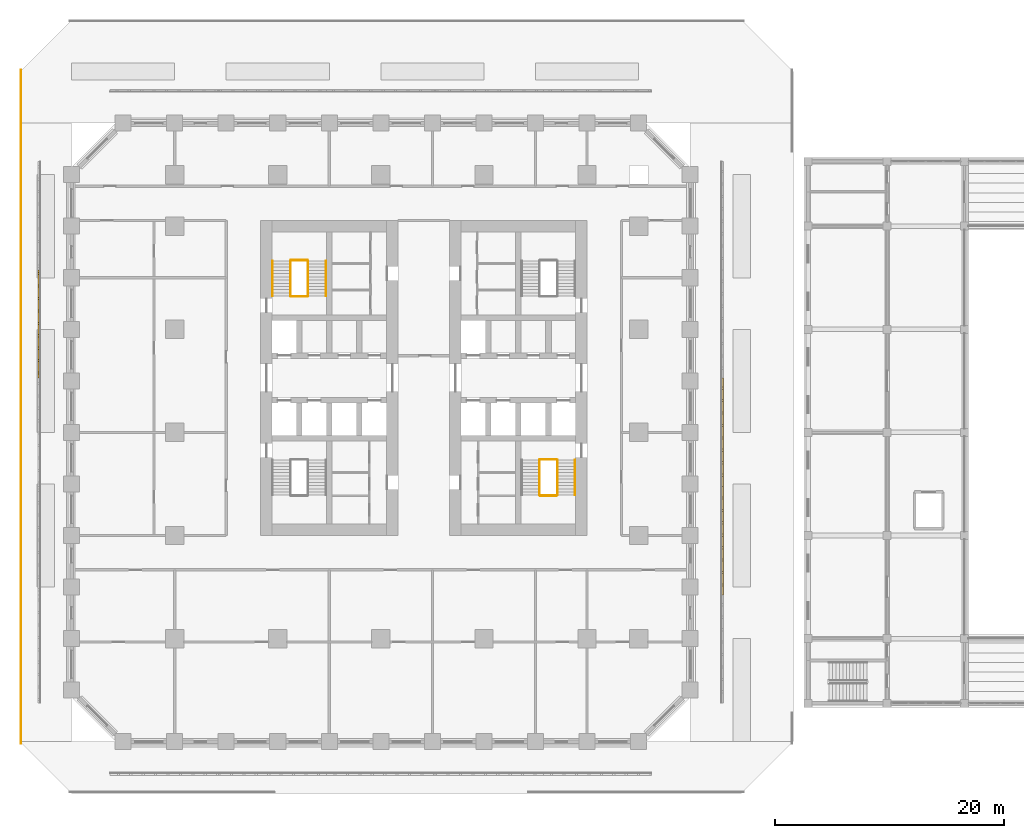
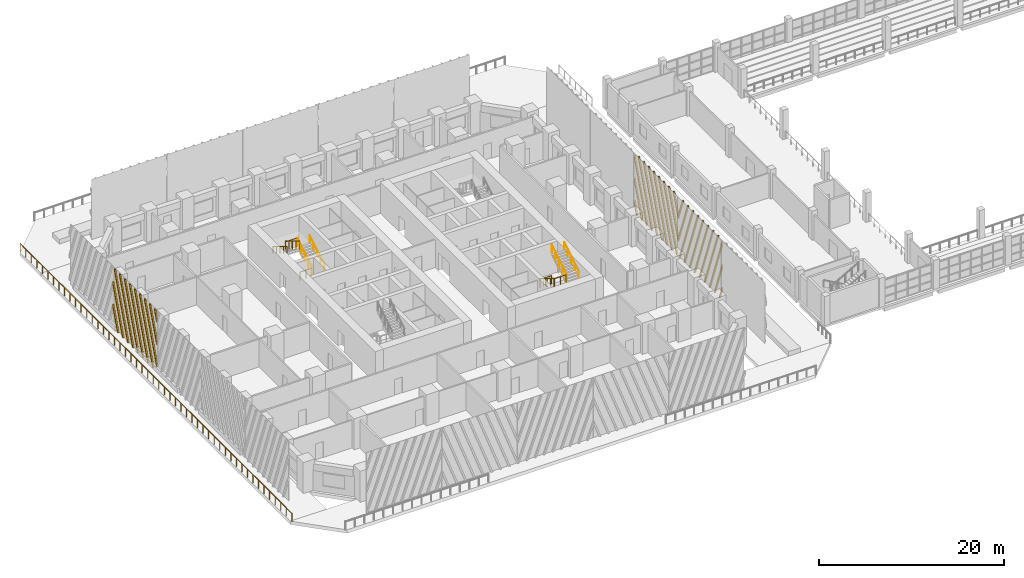
# One storey, part 27 of 36: 12 railings, 3 shading devices.
"""IFC4 building model written with IfcOpenShell, lengths in metres."""

import ifcopenshell
import ifcopenshell.guid

model = None  # the IFC model being written
_history = None  # IfcOwnerHistory: only IFC2X3 demands one
_inside = {}  # id of a spatial element -> (the spatial element, [elements in it])
_under = {}  # id of a project, library or spatial element -> (it, [spatial elements below it])
_declared = {}  # id of a project -> (the project, [libraries it declares])
_typed = {}  # id of a type object -> (the type object, [elements of that type])
_made_of = {}  # id of a material, layer set ... -> (it, [elements and type objects made of it])


def new_model(schema):
    """Start an empty IFC model of exactly this schema.

    Asked for "IFC4X3", IfcOpenShell would pick the latest addendum, in which some entities
    have other attributes; the version numbers below select the first issue.
    IFC2X3 requires an IfcOwnerHistory on every rooted entity: one is made here for all.
    """
    global model, _history
    if schema == "IFC4X3":
        model = ifcopenshell.file(schema_version=(4, 3, 0, 0))
    else:
        model = ifcopenshell.file(schema=schema)
    _inside.clear()
    _under.clear()
    _declared.clear()
    _typed.clear()
    _made_of.clear()
    _history = None
    if model.schema == "IFC2X3":
        org = make("IfcOrganization", Name="unknown")
        user = make(
            "IfcPersonAndOrganization",
            ThePerson=make("IfcPerson", FamilyName="unknown"),
            TheOrganization=org,
        )
        app = make(
            "IfcApplication",
            ApplicationDeveloper=org,
            Version="unknown",
            ApplicationFullName="unknown",
            ApplicationIdentifier="unknown",
        )
        _history = make(
            "IfcOwnerHistory",
            OwningUser=user,
            OwningApplication=app,
            ChangeAction="ADDED",
            CreationDate=0,
        )
    return model


def make(cls, **values):
    """One entity of the class cls with the attributes given. An attribute that is None is left unset."""
    return model.create_entity(
        cls, **{name: value for name, value in values.items() if value is not None}
    )


def rooted(cls, **values):
    """An entity with a GlobalId (a new one), such as an element, a storey or a relation."""
    return make(cls, GlobalId=ifcopenshell.guid.new(), OwnerHistory=_history, **values)


def si_unit(unit_type, name, prefix=None):
    """IfcSIUnit, for example si_unit("LENGTHUNIT", "METRE", prefix="MILLI")."""
    return make("IfcSIUnit", UnitType=unit_type, Prefix=prefix, Name=name)


def assignment(units):
    """IfcUnitAssignment: the units of a project."""
    return None if units is None else make("IfcUnitAssignment", Units=units)


def point(xyz):
    """IfcCartesianPoint."""
    return None if xyz is None else make("IfcCartesianPoint", Coordinates=xyz)


def direction(xyz):
    """IfcDirection."""
    return None if xyz is None else make("IfcDirection", DirectionRatios=xyz)


def frame(location, z_axis=None, x_axis=None):
    """IfcAxis2Placement3D, a coordinate frame: its origin and axes. An axis left out is left unset."""
    return make(
        "IfcAxis2Placement3D",
        Location=point(location),
        Axis=direction(z_axis),
        RefDirection=direction(x_axis),
    )


def frame_2d(location, x_axis=None):
    """IfcAxis2Placement2D, a coordinate frame in the plane: its origin and x axis."""
    return make(
        "IfcAxis2Placement2D", Location=point(location), RefDirection=direction(x_axis)
    )


def origin():
    """The frame at (0, 0, 0) with its axes left unset."""
    return frame((0.0, 0.0, 0.0))


def origin_2d():
    """The frame at (0, 0) in the plane with its x axis left unset."""
    return frame_2d((0.0, 0.0))


def place(relative_to, where):
    """IfcLocalPlacement: puts the frame where relative to a parent placement (None: the world)."""
    return make(
        "IfcLocalPlacement", PlacementRelTo=relative_to, RelativePlacement=where
    )


def context(
    kind, dimensions, precision=None, world=None, true_north=None, identifier=None
):
    """IfcGeometricRepresentationContext, for example the 3D "Model" context."""
    return make(
        "IfcGeometricRepresentationContext",
        ContextIdentifier=identifier,
        ContextType=kind,
        CoordinateSpaceDimension=dimensions,
        Precision=precision,
        WorldCoordinateSystem=world,
        TrueNorth=true_north,
    )


def subcontext(parent, identifier, kind, view, scale=None):
    """IfcGeometricRepresentationSubContext, for example "Body" below "Model"."""
    return make(
        "IfcGeometricRepresentationSubContext",
        ContextIdentifier=identifier,
        ContextType=kind,
        ParentContext=parent,
        TargetScale=scale,
        TargetView=view,
    )


def project(units=None, contexts=None):
    """IfcProject with its units and contexts."""
    return rooted(
        "IfcProject",
        Name="project",
        RepresentationContexts=contexts,
        UnitsInContext=assignment(units),
    )


def spatial(cls, under=None, at=None, **own):
    """A site, building, storey or space (cls), placed at a placement, below another one or the project."""
    s = rooted(cls, ObjectPlacement=at, **own)
    if under is not None:
        _under.setdefault(under.id(), (under, []))[1].append(s)
    return s


def polyline(points):
    """IfcPolyline through the points."""
    return make("IfcPolyline", Points=[point(p) for p in points])


def profile(cls, at=None, kind="AREA", **sizes):
    """A parametric profile (cls). Its sizes go by their IFC names, for example OverallWidth=200.0."""
    return make(cls, ProfileType=kind, Position=at, **sizes)


def circle(**sizes):
    """IfcCircleProfileDef."""
    return profile("IfcCircleProfileDef", **sizes)


def outline(outer, holes=None, kind="AREA"):
    """IfcArbitraryClosedProfileDef: a profile drawn as a closed curve; with holes, ...WithVoids."""
    if holes is None:
        return make("IfcArbitraryClosedProfileDef", ProfileType=kind, OuterCurve=outer)
    return make(
        "IfcArbitraryProfileDefWithVoids",
        ProfileType=kind,
        OuterCurve=outer,
        InnerCurves=holes,
    )


def extrude(swept, where, along, depth):
    """IfcExtrudedAreaSolid: the profile swept, set in the frame where, extruded along a direction by depth."""
    return make(
        "IfcExtrudedAreaSolid",
        SweptArea=swept,
        Position=where,
        ExtrudedDirection=direction(along),
        Depth=depth,
    )


def shape(context_of_items, identifier, shape_type, items):
    """IfcShapeRepresentation: the items that make up one representation, for example the "Body"."""
    return make(
        "IfcShapeRepresentation",
        ContextOfItems=context_of_items,
        RepresentationIdentifier=identifier,
        RepresentationType=shape_type,
        Items=items,
    )


def source(mapping_origin, context_of_items, identifier, shape_type, items):
    """IfcRepresentationMap: a shape defined once, which mapped items show again and again."""
    return make(
        "IfcRepresentationMap",
        MappingOrigin=mapping_origin,
        MappedRepresentation=shape(context_of_items, identifier, shape_type, items),
    )


def transform(
    local_origin,
    x_axis=None,
    y_axis=None,
    z_axis=None,
    scale=None,
    scale2=None,
    scale3=None,
    uniform=True,
):
    """IfcCartesianTransformationOperator3D, or its non-uniform kind. x_axis, y_axis, z_axis: its Axis1, 2, 3."""
    if uniform:
        return make(
            "IfcCartesianTransformationOperator3D",
            Axis1=direction(x_axis),
            Axis2=direction(y_axis),
            LocalOrigin=point(local_origin),
            Scale=scale,
            Axis3=direction(z_axis),
        )
    return make(
        "IfcCartesianTransformationOperator3DnonUniform",
        Axis1=direction(x_axis),
        Axis2=direction(y_axis),
        LocalOrigin=point(local_origin),
        Scale=scale,
        Axis3=direction(z_axis),
        Scale2=scale2,
        Scale3=scale3,
    )


def mapped(mapping_source, mapping_target):
    """IfcMappedItem: shows the shape of a source again, moved by a transform."""
    return make(
        "IfcMappedItem", MappingSource=mapping_source, MappingTarget=mapping_target
    )


def material(Name=None, Category=None):
    """IfcMaterial."""
    return make("IfcMaterial", Name=Name, Category=Category)


def made_of(thing, what):
    """Note that an element or type object is made of a material, layer set ...; save() writes the relation."""
    if what is not None:
        _made_of.setdefault(what.id(), (what, []))[1].append(thing)
    return thing


def type_object(cls, material=None, **own):
    """A type object (cls), such as IfcWallType, which elements share."""
    return made_of(rooted(cls, **own), material)


def element(
    cls,
    number,
    at=None,
    inside=None,
    cuts=None,
    type_object=None,
    material=None,
    context=None,
    identifier="Body",
    shape_type=None,
    held_by="IfcProductDefinitionShape",
    body=None,
    shapes=None,
    **own,
):
    """One element of the class cls, such as IfcWall. Its Tag is "e" and its number.

    at: its placement. inside: the storey or other place that contains it. cuts: it is an
    opening in that element (IfcRelVoidsElement). A single representation is given by context,
    identifier, shape_type and body (its items); several are given by shapes. held_by: the class
    of the entity that holds the representations. save() writes the other relations.
    """
    e = rooted(cls, Tag="e%d" % number, ObjectPlacement=at, **own)
    if body is not None:
        shapes = [shape(context, identifier, shape_type, body)]
    if shapes is not None:
        e.Representation = make(held_by, Representations=shapes)
    if inside is not None:
        _inside.setdefault(inside.id(), (inside, []))[1].append(e)
    if cuts is not None:
        rooted(
            "IfcRelVoidsElement", RelatingBuildingElement=cuts, RelatedOpeningElement=e
        )
    if type_object is not None:
        _typed.setdefault(type_object.id(), (type_object, []))[1].append(e)
    return made_of(e, material)


def aggregate(whole, parts):
    """IfcRelAggregates: a whole, such as a stair, and the parts it consists of."""
    return rooted("IfcRelAggregates", RelatingObject=whole, RelatedObjects=parts)


def save(model, path):
    """Write the relations noted so far, then the file.

    IfcRelAggregates (storeys below a building ...), IfcRelContainedInSpatialStructure (elements
    in a storey), IfcRelDefinesByType, IfcRelAssociatesMaterial and IfcRelDeclares: one each for
    every whole, place, type object, material and project.
    """
    for whole, parts in _under.values():
        aggregate(whole, parts)
    for where, things in _inside.values():
        rooted(
            "IfcRelContainedInSpatialStructure",
            RelatedElements=things,
            RelatingStructure=where,
        )
    for kind, things in _typed.values():
        rooted("IfcRelDefinesByType", RelatedObjects=things, RelatingType=kind)
    for what, things in _made_of.values():
        rooted("IfcRelAssociatesMaterial", RelatedObjects=things, RelatingMaterial=what)
    for by, libraries in _declared.values():
        rooted("IfcRelDeclares", RelatingContext=by, RelatedDefinitions=libraries)
    model.write(path)


model = new_model("IFC4")

# Units and contexts
model_context = context("Model", 3, precision=1e-05, world=origin(), true_north=direction((0.0, 1.0)))
body_context = subcontext(model_context, "Body", "Model", "MODEL_VIEW")
ifc_project = project(units=[si_unit("LENGTHUNIT", "METRE"), si_unit("AREAUNIT", "SQUARE_METRE"), si_unit("VOLUMEUNIT", "CUBIC_METRE"), si_unit("PLANEANGLEUNIT", "RADIAN"), si_unit("MASSUNIT", "GRAM", prefix="KILO")], contexts=[model_context])

# Site, building, storey
site_placement = place(None, origin())
site = spatial("IfcSite", under=ifc_project, at=site_placement, CompositionType="ELEMENT")
building_placement = place(site_placement, origin())
building = spatial("IfcBuilding", under=site, at=building_placement, Name="Corbel Stack Research Tower", CompositionType="ELEMENT")
storey_placement = place(building_placement, frame((0.0, 0.0, 7.199951171875)))
storey = spatial("IfcBuildingStorey", under=building, at=storey_placement, Name="L01", CompositionType="ELEMENT", Elevation=7.199951171875)

# Railings
ifc_material_1 = material(Name="Steel S235", Category="steel")
railing_type_1 = type_object("IfcRailingType", Name="SR1 guard 1100", PredefinedType="GUARDRAIL", material=ifc_material_1)
railing_1_placement = place(storey_placement, frame((-31.39990234375, -27.142333984375, 0.0)))
element("IfcRailing", 1, at=railing_1_placement, inside=storey, type_object=railing_type_1, Name="Garden deck guard 3", PredefinedType="GUARDRAIL", context=body_context, shape_type="SweptSolid", body=[
    extrude(circle(Radius=0.02392578125, at=origin_2d()), frame((0.0, 0.0, 1.076171875), z_axis=(0.0, 1.0, 0.0), x_axis=(-1.0, 0.0, 0.0)), (0.0, 0.0, 1.0), 58.78466796875),
    extrude(circle(Radius=0.02099609375, at=origin_2d()), origin(), (0.0, 0.0, 1.0), 1.052001953125),
    extrude(circle(Radius=0.02099609375, at=origin_2d()), frame((0.0, 1.19970703125, 0.0)), (0.0, 0.0, 1.0), 1.052001953125),
    extrude(circle(Radius=0.02099609375, at=origin_2d()), frame((0.0, 2.3994140625, 0.0)), (0.0, 0.0, 1.0), 1.052001953125),
    extrude(circle(Radius=0.02099609375, at=origin_2d()), frame((0.0, 3.59912109375, 0.0)), (0.0, 0.0, 1.0), 1.052001953125),
    extrude(circle(Radius=0.02099609375, at=origin_2d()), frame((0.0, 4.798828125, 0.0)), (0.0, 0.0, 1.0), 1.052001953125),
    extrude(circle(Radius=0.02099609375, at=origin_2d()), frame((0.0, 5.99853515625, 0.0)), (0.0, 0.0, 1.0), 1.052001953125),
    extrude(circle(Radius=0.02099609375, at=origin_2d()), frame((0.0, 7.1982421875, 0.0)), (0.0, 0.0, 1.0), 1.052001953125),
    extrude(circle(Radius=0.02099609375, at=origin_2d()), frame((0.0, 8.397705078125, 0.0)), (0.0, 0.0, 1.0), 1.052001953125),
    extrude(circle(Radius=0.02099609375, at=origin_2d()), frame((0.0, 9.597412109375, 0.0)), (0.0, 0.0, 1.0), 1.052001953125),
    extrude(circle(Radius=0.02099609375, at=origin_2d()), frame((0.0, 10.797119140625, 0.0)), (0.0, 0.0, 1.0), 1.052001953125),
    extrude(circle(Radius=0.02099609375, at=origin_2d()), frame((0.0, 11.996826171875, 0.0)), (0.0, 0.0, 1.0), 1.052001953125),
    extrude(circle(Radius=0.02099609375, at=origin_2d()), frame((0.0, 13.196533203125, 0.0)), (0.0, 0.0, 1.0), 1.052001953125),
    extrude(circle(Radius=0.02099609375, at=origin_2d()), frame((0.0, 14.396240234375, 0.0)), (0.0, 0.0, 1.0), 1.052001953125),
    extrude(circle(Radius=0.02099609375, at=origin_2d()), frame((0.0, 15.595947265625, 0.0)), (0.0, 0.0, 1.0), 1.052001953125),
    extrude(circle(Radius=0.02099609375, at=origin_2d()), frame((0.0, 16.795654296875, 0.0)), (0.0, 0.0, 1.0), 1.052001953125),
    extrude(circle(Radius=0.02099609375, at=origin_2d()), frame((0.0, 17.995361328125, 0.0)), (0.0, 0.0, 1.0), 1.052001953125),
    extrude(circle(Radius=0.02099609375, at=origin_2d()), frame((0.0, 19.195068359375, 0.0)), (0.0, 0.0, 1.0), 1.052001953125),
    extrude(circle(Radius=0.02099609375, at=origin_2d()), frame((0.0, 20.394775390625, 0.0)), (0.0, 0.0, 1.0), 1.052001953125),
    extrude(circle(Radius=0.02099609375, at=origin_2d()), frame((0.0, 21.594482421875, 0.0)), (0.0, 0.0, 1.0), 1.052001953125),
    extrude(circle(Radius=0.02099609375, at=origin_2d()), frame((0.0, 22.7939453125, 0.0)), (0.0, 0.0, 1.0), 1.052001953125),
    extrude(circle(Radius=0.02099609375, at=origin_2d()), frame((0.0, 23.99365234375, 0.0)), (0.0, 0.0, 1.0), 1.052001953125),
    extrude(circle(Radius=0.02099609375, at=origin_2d()), frame((0.0, 25.193359375, 0.0)), (0.0, 0.0, 1.0), 1.052001953125),
    extrude(circle(Radius=0.02099609375, at=origin_2d()), frame((0.0, 26.39306640625, 0.0)), (0.0, 0.0, 1.0), 1.052001953125),
    extrude(circle(Radius=0.02099609375, at=origin_2d()), frame((0.0, 27.5927734375, 0.0)), (0.0, 0.0, 1.0), 1.052001953125),
    extrude(circle(Radius=0.02099609375, at=origin_2d()), frame((0.0, 28.79248046875, 0.0)), (0.0, 0.0, 1.0), 1.052001953125),
    extrude(circle(Radius=0.02099609375, at=origin_2d()), frame((0.0, 29.9921875, 0.0)), (0.0, 0.0, 1.0), 1.052001953125),
    extrude(circle(Radius=0.02099609375, at=origin_2d()), frame((0.0, 31.19189453125, 0.0)), (0.0, 0.0, 1.0), 1.052001953125),
    extrude(circle(Radius=0.02099609375, at=origin_2d()), frame((0.0, 32.3916015625, 0.0)), (0.0, 0.0, 1.0), 1.052001953125),
    extrude(circle(Radius=0.02099609375, at=origin_2d()), frame((0.0, 33.59130859375, 0.0)), (0.0, 0.0, 1.0), 1.052001953125),
    extrude(circle(Radius=0.02099609375, at=origin_2d()), frame((0.0, 34.791015625, 0.0)), (0.0, 0.0, 1.0), 1.052001953125),
    extrude(circle(Radius=0.02099609375, at=origin_2d()), frame((0.0, 35.99072265625, 0.0)), (0.0, 0.0, 1.0), 1.052001953125),
    extrude(circle(Radius=0.02099609375, at=origin_2d()), frame((0.0, 37.190185546875, 0.0)), (0.0, 0.0, 1.0), 1.052001953125),
    extrude(circle(Radius=0.02099609375, at=origin_2d()), frame((0.0, 38.389892578125, 0.0)), (0.0, 0.0, 1.0), 1.052001953125),
    extrude(circle(Radius=0.02099609375, at=origin_2d()), frame((0.0, 39.589599609375, 0.0)), (0.0, 0.0, 1.0), 1.052001953125),
    extrude(circle(Radius=0.02099609375, at=origin_2d()), frame((0.0, 40.789306640625, 0.0)), (0.0, 0.0, 1.0), 1.052001953125),
    extrude(circle(Radius=0.02099609375, at=origin_2d()), frame((0.0, 41.989013671875, 0.0)), (0.0, 0.0, 1.0), 1.052001953125),
    extrude(circle(Radius=0.02099609375, at=origin_2d()), frame((0.0, 43.188720703125, 0.0)), (0.0, 0.0, 1.0), 1.052001953125),
    extrude(circle(Radius=0.02099609375, at=origin_2d()), frame((0.0, 44.388427734375, 0.0)), (0.0, 0.0, 1.0), 1.052001953125),
    extrude(circle(Radius=0.02099609375, at=origin_2d()), frame((0.0, 45.588134765625, 0.0)), (0.0, 0.0, 1.0), 1.052001953125),
    extrude(circle(Radius=0.02099609375, at=origin_2d()), frame((0.0, 46.787841796875, 0.0)), (0.0, 0.0, 1.0), 1.052001953125),
    extrude(circle(Radius=0.02099609375, at=origin_2d()), frame((0.0, 47.987548828125, 0.0)), (0.0, 0.0, 1.0), 1.052001953125),
    extrude(circle(Radius=0.02099609375, at=origin_2d()), frame((0.0, 49.187255859375, 0.0)), (0.0, 0.0, 1.0), 1.052001953125),
    extrude(circle(Radius=0.02099609375, at=origin_2d()), frame((0.0, 50.386962890625, 0.0)), (0.0, 0.0, 1.0), 1.052001953125),
    extrude(circle(Radius=0.02099609375, at=origin_2d()), frame((0.0, 51.58642578125, 0.0)), (0.0, 0.0, 1.0), 1.052001953125),
    extrude(circle(Radius=0.02099609375, at=origin_2d()), frame((0.0, 52.7861328125, 0.0)), (0.0, 0.0, 1.0), 1.052001953125),
    extrude(circle(Radius=0.02099609375, at=origin_2d()), frame((0.0, 53.98583984375, 0.0)), (0.0, 0.0, 1.0), 1.052001953125),
    extrude(circle(Radius=0.02099609375, at=origin_2d()), frame((0.0, 55.185546875, 0.0)), (0.0, 0.0, 1.0), 1.052001953125),
    extrude(circle(Radius=0.02099609375, at=origin_2d()), frame((0.0, 56.38525390625, 0.0)), (0.0, 0.0, 1.0), 1.052001953125),
    extrude(circle(Radius=0.02099609375, at=origin_2d()), frame((0.0, 57.5849609375, 0.0)), (0.0, 0.0, 1.0), 1.052001953125),
    extrude(circle(Radius=0.02099609375, at=origin_2d()), frame((0.0, 58.78466796875, 0.0)), (0.0, 0.0, 1.0), 1.052001953125),
])
ifc_material_2 = material(Name="Steel S355", Category="steel")
railing_type_2 = type_object("IfcRailingType", Name="Stair guard 1100", PredefinedType="GUARDRAIL", material=ifc_material_2)
railing_2_placement = place(storey_placement, frame((-6.35009765625, 11.89990234375, 0.1708984375)))
element("IfcRailing", 2, at=railing_2_placement, inside=storey, type_object=railing_type_2, Name="L01 ST-W2 stair guard 1", PredefinedType="GUARDRAIL", context=body_context, shape_type="SweptSolid", body=[
    extrude(circle(Radius=0.02392578125, at=origin_2d()), frame((0.0, 0.0, 1.076171875), z_axis=(0.0, 0.853666305674, 0.52082035152), x_axis=(-1.0, 0.0, 0.0)), (0.0, 0.0, 1.0), 3.608154296875),
    extrude(circle(Radius=0.02099609375, at=origin_2d()), origin(), (0.0, 0.0, 1.0), 1.052001953125),
    extrude(circle(Radius=0.02099609375, at=origin_2d()), frame((0.0, 0.77001953125, 0.4697265625)), (0.0, 0.0, 1.0), 1.052001953125),
    extrude(circle(Radius=0.02099609375, at=origin_2d()), frame((0.0, 1.5400390625, 0.939453125)), (0.0, 0.0, 1.0), 1.052001953125),
    extrude(circle(Radius=0.02099609375, at=origin_2d()), frame((0.0, 2.31005859375, 1.409423828125)), (0.0, 0.0, 1.0), 1.052001953125),
    extrude(circle(Radius=0.02099609375, at=origin_2d()), frame((0.0, 3.080078125, 1.879150390625)), (0.0, 0.0, 1.0), 1.052001953125),
])
railing_3_placement = place(storey_placement, frame((-6.39990234375, 15.030029296875, 2.050048828125)))
element("IfcRailing", 3, at=railing_3_placement, inside=storey, type_object=railing_type_2, Name="L01 ST-W2 stair guard 2", PredefinedType="GUARDRAIL", context=body_context, shape_type="SweptSolid", body=[
    extrude(circle(Radius=0.02392578125, at=origin_2d()), frame((0.0, 0.0, 1.076171875), z_axis=(-1.0, 0.0, 0.0), x_axis=(0.0, -1.0, 0.0)), (0.0, 0.0, 1.0), 1.4501953125),
    extrude(circle(Radius=0.02099609375, at=origin_2d()), origin(), (0.0, 0.0, 1.0), 1.052001953125),
    extrude(circle(Radius=0.02099609375, at=origin_2d()), frame((-0.72509765625, 0.0, 0.0)), (0.0, 0.0, 1.0), 1.052001953125),
    extrude(circle(Radius=0.02099609375, at=origin_2d()), frame((-1.4501953125, 0.0, 0.0)), (0.0, 0.0, 1.0), 1.052001953125),
])
railing_4_placement = place(storey_placement, frame((-7.89990234375, 14.97998046875, 2.220947265625)))
element("IfcRailing", 4, at=railing_4_placement, inside=storey, type_object=railing_type_2, Name="L01 ST-W2 stair guard 3", PredefinedType="GUARDRAIL", context=body_context, shape_type="SweptSolid", body=[
    extrude(circle(Radius=0.02392578125, at=origin_2d()), frame((0.0, 0.0, 1.076171875), z_axis=(0.0, -0.853666305674, 0.52082035152), x_axis=(1.0, 0.0, 0.0)), (0.0, 0.0, 1.0), 3.608154296875),
    extrude(circle(Radius=0.02099609375, at=origin_2d()), origin(), (0.0, 0.0, 1.0), 1.052001953125),
    extrude(circle(Radius=0.02099609375, at=origin_2d()), frame((0.0, -0.77001953125, 0.4697265625)), (0.0, 0.0, 1.0), 1.052001953125),
    extrude(circle(Radius=0.02099609375, at=origin_2d()), frame((0.0, -1.5400390625, 0.939453125)), (0.0, 0.0, 1.0), 1.052001953125),
    extrude(circle(Radius=0.02099609375, at=origin_2d()), frame((0.0, -2.31005859375, 1.409423828125)), (0.0, 0.0, 1.0), 1.052001953125),
    extrude(circle(Radius=0.02099609375, at=origin_2d()), frame((0.0, -3.080078125, 1.879150390625)), (0.0, 0.0, 1.0), 1.052001953125),
])
railing_5_placement = place(storey_placement, frame((-6.39990234375, 11.85009765625, 0.0)))
element("IfcRailing", 5, at=railing_5_placement, inside=storey, type_object=railing_type_2, Name="L01 ST-W2 stair guard 4", PredefinedType="GUARDRAIL", context=body_context, shape_type="SweptSolid", body=[
    extrude(circle(Radius=0.02392578125, at=origin_2d()), frame((0.0, 0.0, 1.076171875), z_axis=(-1.0, 0.0, 0.0), x_axis=(0.0, -1.0, 0.0)), (0.0, 0.0, 1.0), 1.4501953125),
    extrude(circle(Radius=0.02099609375, at=origin_2d()), origin(), (0.0, 0.0, 1.0), 1.052001953125),
    extrude(circle(Radius=0.02099609375, at=origin_2d()), frame((-0.72509765625, 0.0, 0.0)), (0.0, 0.0, 1.0), 1.052001953125),
    extrude(circle(Radius=0.02099609375, at=origin_2d()), frame((-1.4501953125, 0.0, 0.0)), (0.0, 0.0, 1.0), 1.052001953125),
])
railing_6_placement = place(storey_placement, frame((13.85009765625, -2.39990234375, 0.1708984375)))
element("IfcRailing", 6, at=railing_6_placement, inside=storey, type_object=railing_type_2, Name="L01 ST-E1 stair guard 1", PredefinedType="GUARDRAIL", context=body_context, shape_type="SweptSolid", body=[
    extrude(circle(Radius=0.02392578125, at=origin_2d()), frame((0.0, 0.0, 1.076171875), z_axis=(0.0, -0.853666305674, 0.52082035152), x_axis=(1.0, 0.0, 0.0)), (0.0, 0.0, 1.0), 3.608154296875),
    extrude(circle(Radius=0.02099609375, at=origin_2d()), origin(), (0.0, 0.0, 1.0), 1.052001953125),
    extrude(circle(Radius=0.02099609375, at=origin_2d()), frame((0.0, -0.77001953125, 0.4697265625)), (0.0, 0.0, 1.0), 1.052001953125),
    extrude(circle(Radius=0.02099609375, at=origin_2d()), frame((0.0, -1.5400390625, 0.939453125)), (0.0, 0.0, 1.0), 1.052001953125),
    extrude(circle(Radius=0.02099609375, at=origin_2d()), frame((0.0, -2.31005859375, 1.409423828125)), (0.0, 0.0, 1.0), 1.052001953125),
    extrude(circle(Radius=0.02099609375, at=origin_2d()), frame((0.0, -3.080078125, 1.879150390625)), (0.0, 0.0, 1.0), 1.052001953125),
])
railing_7_placement = place(storey_placement, frame((13.89990234375, -5.530029296875, 2.050048828125)))
element("IfcRailing", 7, at=railing_7_placement, inside=storey, type_object=railing_type_2, Name="L01 ST-E1 stair guard 2", PredefinedType="GUARDRAIL", context=body_context, shape_type="SweptSolid", body=[
    extrude(circle(Radius=0.02392578125, at=origin_2d()), frame((0.0, 0.0, 1.076171875), z_axis=(1.0, 0.0, 0.0), x_axis=(0.0, 1.0, 0.0)), (0.0, 0.0, 1.0), 1.4501953125),
    extrude(circle(Radius=0.02099609375, at=origin_2d()), origin(), (0.0, 0.0, 1.0), 1.052001953125),
    extrude(circle(Radius=0.02099609375, at=origin_2d()), frame((0.72509765625, 0.0, 0.0)), (0.0, 0.0, 1.0), 1.052001953125),
    extrude(circle(Radius=0.02099609375, at=origin_2d()), frame((1.4501953125, 0.0, 0.0)), (0.0, 0.0, 1.0), 1.052001953125),
])
railing_8_placement = place(storey_placement, frame((15.39990234375, -5.47998046875, 2.220947265625)))
element("IfcRailing", 8, at=railing_8_placement, inside=storey, type_object=railing_type_2, Name="L01 ST-E1 stair guard 3", PredefinedType="GUARDRAIL", context=body_context, shape_type="SweptSolid", body=[
    extrude(circle(Radius=0.02392578125, at=origin_2d()), frame((0.0, 0.0, 1.076171875), z_axis=(0.0, 0.853666305674, 0.52082035152), x_axis=(-1.0, 0.0, 0.0)), (0.0, 0.0, 1.0), 3.608154296875),
    extrude(circle(Radius=0.02099609375, at=origin_2d()), origin(), (0.0, 0.0, 1.0), 1.052001953125),
    extrude(circle(Radius=0.02099609375, at=origin_2d()), frame((0.0, 0.77001953125, 0.4697265625)), (0.0, 0.0, 1.0), 1.052001953125),
    extrude(circle(Radius=0.02099609375, at=origin_2d()), frame((0.0, 1.5400390625, 0.939453125)), (0.0, 0.0, 1.0), 1.052001953125),
    extrude(circle(Radius=0.02099609375, at=origin_2d()), frame((0.0, 2.31005859375, 1.409423828125)), (0.0, 0.0, 1.0), 1.052001953125),
    extrude(circle(Radius=0.02099609375, at=origin_2d()), frame((0.0, 3.080078125, 1.879150390625)), (0.0, 0.0, 1.0), 1.052001953125),
])
railing_9_placement = place(storey_placement, frame((13.89990234375, -2.35009765625, 0.0)))
element("IfcRailing", 9, at=railing_9_placement, inside=storey, type_object=railing_type_2, Name="L01 ST-E1 stair guard 4", PredefinedType="GUARDRAIL", context=body_context, shape_type="SweptSolid", body=[
    extrude(circle(Radius=0.02392578125, at=origin_2d()), frame((0.0, 0.0, 1.076171875), z_axis=(1.0, 0.0, 0.0), x_axis=(0.0, 1.0, 0.0)), (0.0, 0.0, 1.0), 1.4501953125),
    extrude(circle(Radius=0.02099609375, at=origin_2d()), origin(), (0.0, 0.0, 1.0), 1.052001953125),
    extrude(circle(Radius=0.02099609375, at=origin_2d()), frame((0.72509765625, 0.0, 0.0)), (0.0, 0.0, 1.0), 1.052001953125),
    extrude(circle(Radius=0.02099609375, at=origin_2d()), frame((1.4501953125, 0.0, 0.0)), (0.0, 0.0, 1.0), 1.052001953125),
])
ifc_material_3 = material(Name="Steel S355", Category="steel")
railing_type_3 = type_object("IfcRailingType", Name="Stair handrail 900", PredefinedType="HANDRAIL", material=ifc_material_3)
railing_10_placement = place(storey_placement, frame((-4.800048828125, 11.89990234375, 0.1708984375)))
element("IfcRailing", 10, at=railing_10_placement, inside=storey, type_object=railing_type_3, Name="L01 ST-W2 stair handrail 1", PredefinedType="HANDRAIL", context=body_context, shape_type="SweptSolid", body=[
    extrude(circle(Radius=0.02392578125, at=origin_2d()), frame((0.0, 0.0, 0.8759765625), z_axis=(0.0, 0.853666305674, 0.52082035152), x_axis=(-1.0, 0.0, 0.0)), (0.0, 0.0, 1.0), 3.608154296875),
    extrude(circle(Radius=0.02099609375, at=origin_2d()), origin(), (0.0, 0.0, 1.0), 0.851806640625),
    extrude(circle(Radius=0.02099609375, at=origin_2d()), frame((0.0, 0.77001953125, 0.4697265625)), (0.0, 0.0, 1.0), 0.851806640625),
    extrude(circle(Radius=0.02099609375, at=origin_2d()), frame((0.0, 1.5400390625, 0.939453125)), (0.0, 0.0, 1.0), 0.851806640625),
    extrude(circle(Radius=0.02099609375, at=origin_2d()), frame((0.0, 2.31005859375, 1.409423828125)), (0.0, 0.0, 1.0), 0.851806640625),
    extrude(circle(Radius=0.02099609375, at=origin_2d()), frame((0.0, 3.080078125, 1.879150390625)), (0.0, 0.0, 1.0), 0.851806640625),
])
railing_11_placement = place(storey_placement, frame((-9.449951171875, 14.97998046875, 2.220947265625)))
element("IfcRailing", 11, at=railing_11_placement, inside=storey, type_object=railing_type_3, Name="L01 ST-W2 stair handrail 2", PredefinedType="HANDRAIL", context=body_context, shape_type="SweptSolid", body=[
    extrude(circle(Radius=0.02392578125, at=origin_2d()), frame((0.0, 0.0, 0.8759765625), z_axis=(0.0, -0.853666305674, 0.52082035152), x_axis=(1.0, 0.0, 0.0)), (0.0, 0.0, 1.0), 3.608154296875),
    extrude(circle(Radius=0.02099609375, at=origin_2d()), origin(), (0.0, 0.0, 1.0), 0.851806640625),
    extrude(circle(Radius=0.02099609375, at=origin_2d()), frame((0.0, -0.77001953125, 0.4697265625)), (0.0, 0.0, 1.0), 0.851806640625),
    extrude(circle(Radius=0.02099609375, at=origin_2d()), frame((0.0, -1.5400390625, 0.939453125)), (0.0, 0.0, 1.0), 0.851806640625),
    extrude(circle(Radius=0.02099609375, at=origin_2d()), frame((0.0, -2.31005859375, 1.409423828125)), (0.0, 0.0, 1.0), 0.851806640625),
    extrude(circle(Radius=0.02099609375, at=origin_2d()), frame((0.0, -3.080078125, 1.879150390625)), (0.0, 0.0, 1.0), 0.851806640625),
])
railing_12_placement = place(storey_placement, frame((16.949951171875, -5.47998046875, 2.220947265625)))
element("IfcRailing", 12, at=railing_12_placement, inside=storey, type_object=railing_type_3, Name="L01 ST-E1 stair handrail 2", PredefinedType="HANDRAIL", context=body_context, shape_type="SweptSolid", body=[
    extrude(circle(Radius=0.02392578125, at=origin_2d()), frame((0.0, 0.0, 0.8759765625), z_axis=(0.0, 0.853666305674, 0.52082035152), x_axis=(-1.0, 0.0, 0.0)), (0.0, 0.0, 1.0), 3.608154296875),
    extrude(circle(Radius=0.02099609375, at=origin_2d()), origin(), (0.0, 0.0, 1.0), 0.851806640625),
    extrude(circle(Radius=0.02099609375, at=origin_2d()), frame((0.0, 0.77001953125, 0.4697265625)), (0.0, 0.0, 1.0), 0.851806640625),
    extrude(circle(Radius=0.02099609375, at=origin_2d()), frame((0.0, 1.5400390625, 0.939453125)), (0.0, 0.0, 1.0), 0.851806640625),
    extrude(circle(Radius=0.02099609375, at=origin_2d()), frame((0.0, 2.31005859375, 1.409423828125)), (0.0, 0.0, 1.0), 0.851806640625),
    extrude(circle(Radius=0.02099609375, at=origin_2d()), frame((0.0, 3.080078125, 1.879150390625)), (0.0, 0.0, 1.0), 0.851806640625),
])

# Shading devices
ifc_material_4 = material(Name="Precast terracotta", Category="masonry")
shading_device_type = type_object("IfcShadingDeviceType", Name="Terracotta screen panel", PredefinedType="USERDEFINED", material=ifc_material_4)
shared_shape_1 = source(origin(), body_context, "Body", "SweptSolid", [
    extrude(outline(polyline([(1.09033203125, 7.949951171875), (0.900390625, 7.949951171875), (0.0, 5.476318359375), (0.0, 4.9541015625), (1.09033203125, 7.949951171875)])), frame((0.0, 0.0, 0.0), z_axis=(0.0, -1.0, 0.0), x_axis=(1.0, 0.0, 0.0)), (0.0, 0.0, 1.0), 0.179931640625),
    extrude(outline(polyline([(2.175048828125, 7.949951171875), (1.985107421875, 7.949951171875), (0.0, 2.49609375), (0.0, 1.97412109375), (2.175048828125, 7.949951171875)])), frame((0.0, 0.0, 0.0), z_axis=(0.0, -1.0, 0.0), x_axis=(1.0, 0.0, 0.0)), (0.0, 0.0, 1.0), 0.179931640625),
    extrude(outline(polyline([(0.3662109375, 0.0), (3.259765625, 7.949951171875), (3.069580078125, 7.949951171875), (0.17626953125, 0.0), (0.3662109375, 0.0)])), frame((0.0, 0.0, 0.0), z_axis=(0.0, -1.0, 0.0), x_axis=(1.0, 0.0, 0.0)), (0.0, 0.0, 1.0), 0.179931640625),
    extrude(outline(polyline([(1.45068359375, 0.0), (4.344482421875, 7.949951171875), (4.154296875, 7.949951171875), (1.2607421875, 0.0), (1.45068359375, 0.0)])), frame((0.0, 0.0, 0.0), z_axis=(0.0, -1.0, 0.0), x_axis=(1.0, 0.0, 0.0)), (0.0, 0.0, 1.0), 0.179931640625),
    extrude(outline(polyline([(2.535400390625, 0.0), (5.42919921875, 7.949951171875), (5.239013671875, 7.949951171875), (2.345458984375, 0.0), (2.535400390625, 0.0)])), frame((0.0, 0.0, 0.0), z_axis=(0.0, -1.0, 0.0), x_axis=(1.0, 0.0, 0.0)), (0.0, 0.0, 1.0), 0.179931640625),
    extrude(outline(polyline([(3.6201171875, 0.0), (6.513671875, 7.949951171875), (6.32373046875, 7.949951171875), (3.43017578125, 0.0), (3.6201171875, 0.0)])), frame((0.0, 0.0, 0.0), z_axis=(0.0, -1.0, 0.0), x_axis=(1.0, 0.0, 0.0)), (0.0, 0.0, 1.0), 0.179931640625),
    extrude(outline(polyline([(4.704833984375, 0.0), (7.598388671875, 7.949951171875), (7.408447265625, 7.949951171875), (4.514892578125, 0.0), (4.704833984375, 0.0)])), frame((0.0, 0.0, 0.0), z_axis=(0.0, -1.0, 0.0), x_axis=(1.0, 0.0, 0.0)), (0.0, 0.0, 1.0), 0.179931640625),
    extrude(outline(polyline([(5.78955078125, 0.0), (8.68310546875, 7.949951171875), (8.4931640625, 7.949951171875), (5.599609375, 0.0), (5.78955078125, 0.0)])), frame((0.0, 0.0, 0.0), z_axis=(0.0, -1.0, 0.0), x_axis=(1.0, 0.0, 0.0)), (0.0, 0.0, 1.0), 0.179931640625),
    extrude(outline(polyline([(6.874267578125, 0.0), (9.45556640625, 7.092529296875), (9.45556640625, 7.614501953125), (6.68408203125, 0.0), (6.874267578125, 0.0)])), frame((0.0, 0.0, 0.0), z_axis=(0.0, -1.0, 0.0), x_axis=(1.0, 0.0, 0.0)), (0.0, 0.0, 1.0), 0.179931640625),
    extrude(outline(polyline([(7.958740234375, 0.0), (9.45556640625, 4.1123046875), (9.45556640625, 4.634521484375), (7.768798828125, 0.0), (7.958740234375, 0.0)])), frame((0.0, 0.0, 0.0), z_axis=(0.0, -1.0, 0.0), x_axis=(1.0, 0.0, 0.0)), (0.0, 0.0, 1.0), 0.179931640625),
    extrude(outline(polyline([(9.04345703125, 0.0), (9.45556640625, 1.13232421875), (9.45556640625, 1.654296875), (8.853515625, 0.0), (9.04345703125, 0.0)])), frame((0.0, 0.0, 0.0), z_axis=(0.0, -1.0, 0.0), x_axis=(1.0, 0.0, 0.0)), (0.0, 0.0, 1.0), 0.179931640625),
])
shading_device_1_placement = place(storey_placement, frame((29.75, -4.727783203125, 0.0), z_axis=(0.0, 0.0, 1.0), x_axis=(0.0, 1.0, 0.0)))
element("IfcShadingDevice", 13, at=shading_device_1_placement, inside=storey, type_object=shading_device_type, Name="Terracotta screen L01 E3", ObjectType="SCREEN", PredefinedType="USERDEFINED", context=body_context, shape_type="MappedRepresentation", body=[
    mapped(shared_shape_1, transform((0.0, 0.0, 0.0))),
])
shared_shape_2 = source(origin(), body_context, "Body", "SweptSolid", [
    extrude(outline(polyline([(0.60205078125, 0.0), (0.0, 1.654296875), (0.0, 1.13232421875), (0.412109375, 0.0), (0.60205078125, 0.0)])), frame((0.0, 0.0, 0.0), z_axis=(0.0, -1.0, 0.0), x_axis=(1.0, 0.0, 0.0)), (0.0, 0.0, 1.0), 0.179931640625),
    extrude(outline(polyline([(1.686767578125, 0.0), (0.0, 4.634521484375), (0.0, 4.1123046875), (1.496826171875, 0.0), (1.686767578125, 0.0)])), frame((0.0, 0.0, 0.0), z_axis=(0.0, -1.0, 0.0), x_axis=(1.0, 0.0, 0.0)), (0.0, 0.0, 1.0), 0.179931640625),
    extrude(outline(polyline([(2.771484375, 0.0), (0.0, 7.614501953125), (0.0, 7.092529296875), (2.58154296875, 0.0), (2.771484375, 0.0)])), frame((0.0, 0.0, 0.0), z_axis=(0.0, -1.0, 0.0), x_axis=(1.0, 0.0, 0.0)), (0.0, 0.0, 1.0), 0.179931640625),
    extrude(outline(polyline([(3.856201171875, 0.0), (0.962646484375, 7.949951171875), (0.772705078125, 7.949951171875), (3.666015625, 0.0), (3.856201171875, 0.0)])), frame((0.0, 0.0, 0.0), z_axis=(0.0, -1.0, 0.0), x_axis=(1.0, 0.0, 0.0)), (0.0, 0.0, 1.0), 0.179931640625),
    extrude(outline(polyline([(4.94091796875, 0.0), (2.047119140625, 7.949951171875), (1.857177734375, 7.949951171875), (4.750732421875, 0.0), (4.94091796875, 0.0)])), frame((0.0, 0.0, 0.0), z_axis=(0.0, -1.0, 0.0), x_axis=(1.0, 0.0, 0.0)), (0.0, 0.0, 1.0), 0.179931640625),
    extrude(outline(polyline([(6.025390625, 0.0), (3.1318359375, 7.949951171875), (2.94189453125, 7.949951171875), (5.83544921875, 0.0), (6.025390625, 0.0)])), frame((0.0, 0.0, 0.0), z_axis=(0.0, -1.0, 0.0), x_axis=(1.0, 0.0, 0.0)), (0.0, 0.0, 1.0), 0.179931640625),
    extrude(outline(polyline([(7.110107421875, 0.0), (4.216552734375, 7.949951171875), (4.026611328125, 7.949951171875), (6.920166015625, 0.0), (7.110107421875, 0.0)])), frame((0.0, 0.0, 0.0), z_axis=(0.0, -1.0, 0.0), x_axis=(1.0, 0.0, 0.0)), (0.0, 0.0, 1.0), 0.179931640625),
    extrude(outline(polyline([(8.19482421875, 0.0), (5.30126953125, 7.949951171875), (5.111083984375, 7.949951171875), (8.0048828125, 0.0), (8.19482421875, 0.0)])), frame((0.0, 0.0, 0.0), z_axis=(0.0, -1.0, 0.0), x_axis=(1.0, 0.0, 0.0)), (0.0, 0.0, 1.0), 0.179931640625),
    extrude(outline(polyline([(9.279541015625, 0.0), (6.385986328125, 7.949951171875), (6.19580078125, 7.949951171875), (9.089599609375, 0.0), (9.279541015625, 0.0)])), frame((0.0, 0.0, 0.0), z_axis=(0.0, -1.0, 0.0), x_axis=(1.0, 0.0, 0.0)), (0.0, 0.0, 1.0), 0.179931640625),
    extrude(outline(polyline([(7.470703125, 7.949951171875), (7.280517578125, 7.949951171875), (9.45556640625, 1.97412109375), (9.45556640625, 2.49609375), (7.470703125, 7.949951171875)])), frame((0.0, 0.0, 0.0), z_axis=(0.0, -1.0, 0.0), x_axis=(1.0, 0.0, 0.0)), (0.0, 0.0, 1.0), 0.179931640625),
    extrude(outline(polyline([(8.55517578125, 7.949951171875), (8.365234375, 7.949951171875), (9.45556640625, 4.9541015625), (9.45556640625, 5.476318359375), (8.55517578125, 7.949951171875)])), frame((0.0, 0.0, 0.0), z_axis=(0.0, -1.0, 0.0), x_axis=(1.0, 0.0, 0.0)), (0.0, 0.0, 1.0), 0.179931640625),
])
shading_device_2_placement = place(storey_placement, frame((29.75, -14.18359375, 0.0), z_axis=(0.0, 0.0, 1.0), x_axis=(0.0, 1.0, 0.0)))
element("IfcShadingDevice", 14, at=shading_device_2_placement, inside=storey, type_object=shading_device_type, Name="Terracotta screen L01 E2", ObjectType="SCREEN", PredefinedType="USERDEFINED", context=body_context, shape_type="MappedRepresentation", body=[
    mapped(shared_shape_2, transform((0.0, 0.0, 0.0))),
])
shared_shape_3 = source(origin(), body_context, "Body", "SweptSolid", [
    extrude(outline(polyline([(1.14453125, 0.0), (0.0, 3.144287109375), (0.0, 2.622314453125), (0.95458984375, 0.0), (1.14453125, 0.0)])), frame((0.0, 0.0, 0.0), z_axis=(0.0, -1.0, 0.0), x_axis=(1.0, 0.0, 0.0)), (0.0, 0.0, 1.0), 0.179931640625),
    extrude(outline(polyline([(2.22900390625, 0.0), (0.0, 6.12451171875), (0.0, 5.6025390625), (2.0390625, 0.0), (2.22900390625, 0.0)])), frame((0.0, 0.0, 0.0), z_axis=(0.0, -1.0, 0.0), x_axis=(1.0, 0.0, 0.0)), (0.0, 0.0, 1.0), 0.179931640625),
    extrude(outline(polyline([(3.313720703125, 0.0), (0.420166015625, 7.949951171875), (0.230224609375, 7.949951171875), (3.123779296875, 0.0), (3.313720703125, 0.0)])), frame((0.0, 0.0, 0.0), z_axis=(0.0, -1.0, 0.0), x_axis=(1.0, 0.0, 0.0)), (0.0, 0.0, 1.0), 0.179931640625),
    extrude(outline(polyline([(4.3984375, 0.0), (1.5048828125, 7.949951171875), (1.31494140625, 7.949951171875), (4.20849609375, 0.0), (4.3984375, 0.0)])), frame((0.0, 0.0, 0.0), z_axis=(0.0, -1.0, 0.0), x_axis=(1.0, 0.0, 0.0)), (0.0, 0.0, 1.0), 0.179931640625),
    extrude(outline(polyline([(5.483154296875, 0.0), (2.589599609375, 7.949951171875), (2.399658203125, 7.949951171875), (5.293212890625, 0.0), (5.483154296875, 0.0)])), frame((0.0, 0.0, 0.0), z_axis=(0.0, -1.0, 0.0), x_axis=(1.0, 0.0, 0.0)), (0.0, 0.0, 1.0), 0.179931640625),
    extrude(outline(polyline([(6.56787109375, 0.0), (3.67431640625, 7.949951171875), (3.484130859375, 7.949951171875), (6.377685546875, 0.0), (6.56787109375, 0.0)])), frame((0.0, 0.0, 0.0), z_axis=(0.0, -1.0, 0.0), x_axis=(1.0, 0.0, 0.0)), (0.0, 0.0, 1.0), 0.179931640625),
    extrude(outline(polyline([(7.652587890625, 0.0), (4.7587890625, 7.949951171875), (4.56884765625, 7.949951171875), (7.46240234375, 0.0), (7.652587890625, 0.0)])), frame((0.0, 0.0, 0.0), z_axis=(0.0, -1.0, 0.0), x_axis=(1.0, 0.0, 0.0)), (0.0, 0.0, 1.0), 0.179931640625),
    extrude(outline(polyline([(8.737060546875, 0.0), (5.843505859375, 7.949951171875), (5.653564453125, 7.949951171875), (8.547119140625, 0.0), (8.737060546875, 0.0)])), frame((0.0, 0.0, 0.0), z_axis=(0.0, -1.0, 0.0), x_axis=(1.0, 0.0, 0.0)), (0.0, 0.0, 1.0), 0.179931640625),
    extrude(outline(polyline([(6.92822265625, 7.949951171875), (6.73828125, 7.949951171875), (9.45556640625, 0.48388671875), (9.45556640625, 1.006103515625), (6.92822265625, 7.949951171875)])), frame((0.0, 0.0, 0.0), z_axis=(0.0, -1.0, 0.0), x_axis=(1.0, 0.0, 0.0)), (0.0, 0.0, 1.0), 0.179931640625),
    extrude(outline(polyline([(8.012939453125, 7.949951171875), (7.822998046875, 7.949951171875), (9.45556640625, 3.464111328125), (9.45556640625, 3.986083984375), (8.012939453125, 7.949951171875)])), frame((0.0, 0.0, 0.0), z_axis=(0.0, -1.0, 0.0), x_axis=(1.0, 0.0, 0.0)), (0.0, 0.0, 1.0), 0.179931640625),
    extrude(outline(polyline([(9.09765625, 7.949951171875), (8.90771484375, 7.949951171875), (9.45556640625, 6.444091796875), (9.45556640625, 6.96630859375), (9.09765625, 7.949951171875)])), frame((0.0, 0.0, 0.0), z_axis=(0.0, -1.0, 0.0), x_axis=(1.0, 0.0, 0.0)), (0.0, 0.0, 1.0), 0.179931640625),
])
shading_device_3_placement = place(storey_placement, frame((-29.75, 14.18359375, 0.0), z_axis=(0.0, 0.0, 1.0), x_axis=(0.0, -1.0, 0.0)))
element("IfcShadingDevice", 15, at=shading_device_3_placement, inside=storey, type_object=shading_device_type, Name="Terracotta screen L01 W2", ObjectType="SCREEN", PredefinedType="USERDEFINED", context=body_context, shape_type="MappedRepresentation", body=[
    mapped(shared_shape_3, transform((0.0, 0.0, 0.0))),
])

save(model, "model.ifc")
